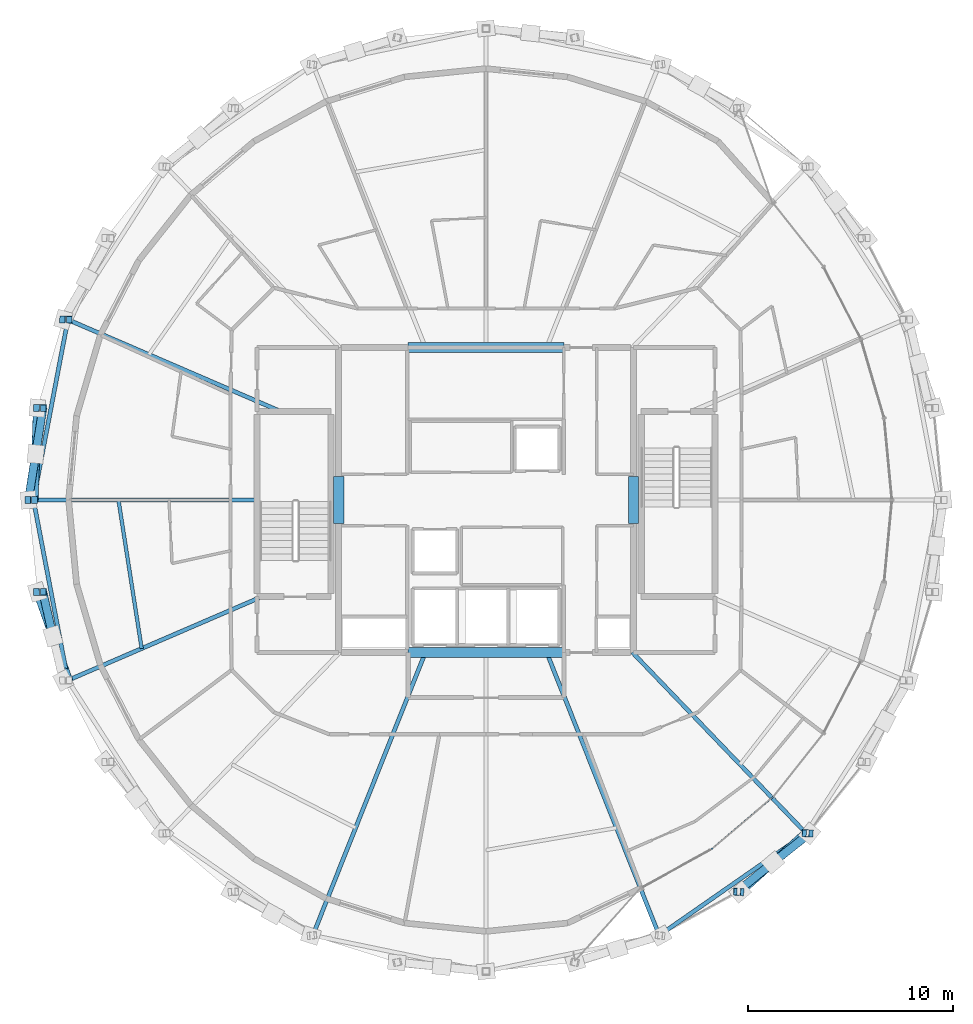
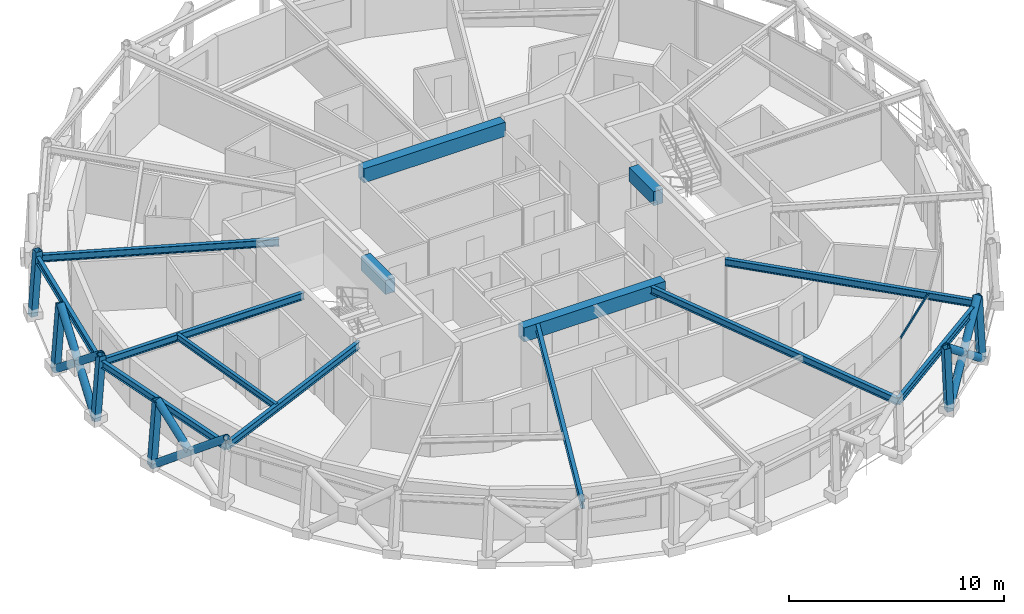
# One storey, part 3 of 15: 15 members, 14 beams, 1 element without a shape of its own.
"""IFC4 building model written with IfcOpenShell, lengths in metres."""

from ifc_helpers import new_model, si_unit, direction, frame, origin, origin_2d, place, context, subcontext, project, spatial, rectangle, hollow_rectangle, hollow_circle, i_section, extrude, material, layer, layer_set, material_profile, profile_set, type_object, element, aggregate, save


model = new_model("IFC4")

# Units and contexts
model_context = context("Model", 3, precision=1e-05, world=origin(), true_north=direction((0.0, 1.0)))
body_context = subcontext(model_context, "Body", "Model", "MODEL_VIEW")
ifc_project = project(units=[si_unit("LENGTHUNIT", "METRE"), si_unit("AREAUNIT", "SQUARE_METRE"), si_unit("VOLUMEUNIT", "CUBIC_METRE"), si_unit("PLANEANGLEUNIT", "RADIAN"), si_unit("MASSUNIT", "GRAM", prefix="KILO")], contexts=[model_context])

# Site, building, storey
site_placement = place(None, origin())
site = spatial("IfcSite", under=ifc_project, at=site_placement, CompositionType="ELEMENT")
building_placement = place(site_placement, origin())
building = spatial("IfcBuilding", under=site, at=building_placement, Name="Veldorina Hangang Commons", CompositionType="ELEMENT")
storey_placement = place(building_placement, frame((0.0, 0.0, 258.0)))
storey = spatial("IfcBuildingStorey", under=building, at=storey_placement, Name="L67", CompositionType="ELEMENT", Elevation=258.0)

# Beams
ifc_material_1 = material(Name="Concrete C50/60", Category="concrete")
ifc_material_profile_1 = material_profile(ifc_material_1, rectangle(XDim=0.5, YDim=0.800048828125, at=origin_2d()), Name="RC-CB-500x800")
ifc_profile_set_1 = profile_set([ifc_material_profile_1], Name="Concrete C50/60")
beam_type_1 = type_object("IfcBeamType", Name="BM-CB800", PredefinedType="LINTEL", material=ifc_profile_set_1)
for number, where, z_axis, x_axis, name in (
    (1, (24.800048828125, 22.85009765625, 2.9599609375), (0.0, 1.0, 0.0), (-1.0, 0.0, 0.0), "L67 W core coupling lintel beam"),
    (2, (39.199951171875, 22.85009765625, 2.9599609375), (0.0, 1.0, 0.0), (-1.0, 0.0, 0.0), "L67 E core coupling lintel beam"),
):
    element("IfcBeam", number, at=place(storey_placement, frame(where, z_axis=z_axis, x_axis=x_axis)), inside=storey, type_object=beam_type_1, Name=name, PredefinedType="LINTEL", context=body_context, shape_type="SweptSolid", body=[
        extrude(rectangle(XDim=0.5, YDim=0.800048828125, at=origin_2d()), origin(), (0.0, 0.0, 1.0), 2.2998046875),
    ])
for number, where, z_axis, x_axis, name in (
    (3, (28.199951171875, 16.550048828125, 2.9599609375), (1.0, 0.0, 0.0), (0.0, 1.0, 0.0), "L67 south core coupling beam"),
    (4, (28.199951171875, 31.449951171875, 2.9599609375), (1.0, 0.0, 0.0), (0.0, 1.0, 0.0), "L67 north core coupling beam"),
):
    element("IfcBeam", number, at=place(storey_placement, frame(where, z_axis=z_axis, x_axis=x_axis)), inside=storey, type_object=beam_type_1, Name=name, PredefinedType="LINTEL", context=body_context, shape_type="SweptSolid", body=[
        extrude(rectangle(XDim=0.5, YDim=0.800048828125, at=origin_2d()), origin(), (0.0, 0.0, 1.0), 7.60009765625),
    ])
ifc_material_2 = material(Name="Steel SM355-TMC", Category="steel")
ifc_material_profile_2 = material_profile(ifc_material_2, i_section(OverallWidth=0.199951171875, OverallDepth=0.39990234375, WebThickness=0.008056640625, FlangeThickness=0.012939453125, FilletRadius=0.012939453125, at=origin_2d()), Name="H-400x200x8x13")
ifc_profile_set_2 = profile_set([ifc_material_profile_2], Name="Steel SM355-TMC")
beam_type_2 = type_object("IfcBeamType", Name="BM-FG400", PredefinedType="BEAM", material=ifc_profile_set_2)
beam_1_placement = place(storey_placement, frame((21.984619140625, 28.320068359375, 3.159912109375), z_axis=(-0.918231481777, 0.396044121121, 0.0), x_axis=(-0.396044121121, -0.918231481777, 0.0)))
element("IfcBeam", 5, at=beam_1_placement, inside=storey, type_object=beam_type_2, Name="L67 radial floor girder 08", PredefinedType="BEAM", context=body_context, shape_type="SweptSolid", body=[
    extrude(i_section(OverallWidth=0.199951171875, OverallDepth=0.39990234375, WebThickness=0.008056640625, FlangeThickness=0.012939453125, FilletRadius=0.012939453125, at=origin_2d()), origin(), (0.0, 0.0, 1.0), 11.337646484375),
])
beam_2_placement = place(storey_placement, frame((20.820068359375, 24.0, 3.159912109375), z_axis=(-1.0, 0.0, 0.0), x_axis=(0.0, -1.0, 0.0)))
element("IfcBeam", 6, at=beam_2_placement, inside=storey, type_object=beam_type_2, Name="L67 radial floor girder 09", PredefinedType="BEAM", context=body_context, shape_type="SweptSolid", body=[
    extrude(i_section(OverallWidth=0.199951171875, OverallDepth=0.39990234375, WebThickness=0.008056640625, FlangeThickness=0.012939453125, FilletRadius=0.012939453125, at=origin_2d()), origin(), (0.0, 0.0, 1.0), 10.928955078125),
])
beam_3_placement = place(storey_placement, frame((21.05712890625, 19.280029296875, 3.159912109375), z_axis=(-0.918226721478, -0.396055157728, 0.0), x_axis=(0.396055157728, -0.918226721478, 0.0)))
element("IfcBeam", 7, at=beam_3_placement, inside=storey, type_object=beam_type_2, Name="L67 radial floor girder 10", PredefinedType="BEAM", context=body_context, shape_type="SweptSolid", body=[
    extrude(i_section(OverallWidth=0.199951171875, OverallDepth=0.39990234375, WebThickness=0.008056640625, FlangeThickness=0.012939453125, FilletRadius=0.012939453125, at=origin_2d()), origin(), (0.0, 0.0, 1.0), 10.32763671875),
])
for number, where, z_axis, x_axis, name in (
    (8, (29.03662109375, 16.550048828125, 3.159912109375), (-0.369604210272, -0.92918928521, 0.0), (0.92918928521, -0.369604210272, 0.0), "L67 radial floor girder 12"),
    (9, (34.96337890625, 16.550048828125, 3.159912109375), (0.369604210272, -0.92918928521, 0.0), (0.92918928521, 0.369604210272, 0.0), "L67 radial floor girder 14"),
):
    element("IfcBeam", number, at=place(storey_placement, frame(where, z_axis=z_axis, x_axis=x_axis)), inside=storey, type_object=beam_type_2, Name=name, PredefinedType="BEAM", context=body_context, shape_type="SweptSolid", body=[
        extrude(i_section(OverallWidth=0.199951171875, OverallDepth=0.39990234375, WebThickness=0.008056640625, FlangeThickness=0.012939453125, FilletRadius=0.012939453125, at=origin_2d()), origin(), (0.0, 0.0, 1.0), 14.87353515625),
    ])
beam_4_placement = place(storey_placement, frame((39.154296875, 16.550048828125, 3.159912109375), z_axis=(0.69265262439, -0.721271337241, 0.0), x_axis=(0.721271337241, 0.69265262439, 0.0)))
element("IfcBeam", 10, at=beam_4_placement, inside=storey, type_object=beam_type_2, Name="L67 radial floor girder 15", PredefinedType="BEAM", context=body_context, shape_type="SweptSolid", body=[
    extrude(i_section(OverallWidth=0.199951171875, OverallDepth=0.39990234375, WebThickness=0.008056640625, FlangeThickness=0.012939453125, FilletRadius=0.012939453125, at=origin_2d()), origin(), (0.0, 0.0, 1.0), 12.24169921875),
])
ifc_material_profile_3 = material_profile(ifc_material_2, i_section(OverallWidth=0.175048828125, OverallDepth=0.35009765625, WebThickness=0.007080078125, FlangeThickness=0.010986328125, FilletRadius=0.012939453125, at=origin_2d()), Name="H-350x175x7x11")
ifc_profile_set_3 = profile_set([ifc_material_profile_3], Name="Steel SM355-TMC")
beam_type_3 = type_object("IfcBeamType", Name="BM-JST350", PredefinedType="JOIST", material=ifc_profile_set_3)
beam_5_placement = place(storey_placement, frame((14.0439453125, 24.0, 3.18505859375), z_axis=(0.154347471675, -0.988016628396, 0.0), x_axis=(0.988016628396, 0.154347471675, 0.0)))
element("IfcBeam", 11, at=beam_5_placement, inside=storey, type_object=beam_type_3, Name="L67 secondary floor joist 09", PredefinedType="JOIST", context=body_context, shape_type="SweptSolid", body=[
    extrude(i_section(OverallWidth=0.175048828125, OverallDepth=0.35009765625, WebThickness=0.007080078125, FlangeThickness=0.010986328125, FilletRadius=0.012939453125, at=origin_2d()), origin(), (0.0, 0.0, 1.0), 7.343994140625),
])
ifc_material_profile_4 = material_profile(ifc_material_2, i_section(OverallWidth=0.199951171875, OverallDepth=0.39990234375, WebThickness=0.008056640625, FlangeThickness=0.012939453125, FilletRadius=0.012939453125, at=origin_2d()), Name="H-400x200x8x13")
ifc_profile_set_4 = profile_set([ifc_material_profile_4], Name="Steel SM355-TMC")
beam_type_4 = type_object("IfcBeamType", Name="BM-RB400", PredefinedType="BEAM", material=ifc_profile_set_4)
for number, where, z_axis, x_axis, name in (
    (12, (11.573974609375, 32.810302734375, 3.159912109375), (-0.187618637091, -0.982241949326, 0.0), (0.982241949326, -0.187618637091, 0.0), "L67 perimeter hoop ring beam 14"),
    (13, (9.89111328125, 24.0, 3.159912109375), (0.187618637091, -0.982241949326, 0.0), (0.982241949326, 0.187618637091, 0.0), "L67 perimeter hoop ring beam 16"),
):
    element("IfcBeam", number, at=place(storey_placement, frame(where, z_axis=z_axis, x_axis=x_axis)), inside=storey, type_object=beam_type_4, Name=name, PredefinedType="BEAM", context=body_context, shape_type="SweptSolid", body=[
        extrude(i_section(OverallWidth=0.199951171875, OverallDepth=0.39990234375, WebThickness=0.008056640625, FlangeThickness=0.012939453125, FilletRadius=0.012939453125, at=origin_2d()), origin(), (0.0, 0.0, 1.0), 8.969482421875),
    ])
beam_6_placement = place(storey_placement, frame((40.460693359375, 2.729736328125, 3.159912109375), z_axis=(0.820856224935, 0.571134885981, 0.0), x_axis=(-0.571134885981, 0.820856224935, 0.0)))
element("IfcBeam", 14, at=beam_6_placement, inside=storey, type_object=beam_type_4, Name="L67 perimeter hoop ring beam 26", PredefinedType="BEAM", context=body_context, shape_type="SweptSolid", body=[
    extrude(i_section(OverallWidth=0.199951171875, OverallDepth=0.39990234375, WebThickness=0.008056640625, FlangeThickness=0.012939453125, FilletRadius=0.012939453125, at=origin_2d()), origin(), (0.0, 0.0, 1.0), 8.73828125),
])

# Curtain wall, member
ifc_material_3 = material(Name="Glass Low-E Selective", Category="glass")
ifc_layer = layer(ifc_material_3, 0.179931640625)
ifc_layer_set = layer_set([ifc_layer], Name="Glass Low-E Selective")
curtain_wall_type = type_object("IfcCurtainWallType", Name="CW-SYS-Z3", PredefinedType="NOTDEFINED", material=ifc_layer_set)
curtain_wall_placement = place(storey_placement, origin())
curtain_wall = element("IfcCurtainWall", 15, at=curtain_wall_placement, inside=storey, type_object=curtain_wall_type, Name="L67 unitised curtain wall CW-L67-R1", PredefinedType="NOTDEFINED")
ifc_material_4 = material(Name="Aluminium Anodized AA6063-T6", Category="aluminium")
ifc_material_profile_5 = material_profile(ifc_material_4, hollow_rectangle(XDim=0.06005859375, YDim=0.139892578125, WallThickness=0.00341796875, at=origin_2d()), Name="ALU-RHS-140x60x3.5")
ifc_profile_set_5 = profile_set([ifc_material_profile_5], Name="Aluminium Anodized AA6063-T6")
member_type_1 = type_object("IfcMemberType", Name="CW-TRN-140", PredefinedType="USERDEFINED", material=ifc_profile_set_5)
member_1_placement = place(storey_placement, frame((43.0185546875, 6.94384765625, 3.280029296875), z_axis=(0.762382280915, 0.647126925531, 0.0), x_axis=(-0.647126925531, 0.762382280915, 0.0)))
member_1 = element("IfcMember", 16, at=member_1_placement, type_object=member_type_1, Name="CW-L67-R1 facet 2 transom 1", ObjectType="TRANSOM", PredefinedType="USERDEFINED", context=body_context, shape_type="SweptSolid", body=[
    extrude(hollow_rectangle(XDim=0.06005859375, YDim=0.139892578125, WallThickness=0.00341796875, at=origin_2d()), origin(), (0.0, 0.0, 1.0), 3.942138671875),
])
aggregate(curtain_wall, [member_1])

# Members
ifc_material_profile_6 = material_profile(ifc_material_2, hollow_circle(Radius=0.199951171875, WallThickness=0.02001953125, at=origin_2d()), Name="CHS-400x20")
ifc_profile_set_6 = profile_set([ifc_material_profile_6], Name="Steel SM355-TMC")
member_type_2 = type_object("IfcMemberType", Name="DG-CHS400", PredefinedType="BRACE", material=ifc_profile_set_6)
member_2_placement = place(storey_placement, frame((10.07666015625, 28.49365234375, 0.0), z_axis=(-0.026364164338, -0.780158856587, 0.625025670935), x_axis=(0.99942949407, -0.033774048968, 0.0)))
element("IfcMember", 17, at=member_2_placement, inside=storey, type_object=member_type_2, Name="L67 continuous perimeter diagrid brace 15", PredefinedType="BRACE", context=body_context, shape_type="SweptSolid", body=[
    extrude(hollow_circle(Radius=0.199951171875, WallThickness=0.02001953125, at=origin_2d()), origin(), (0.0, 0.0, 1.0), 5.760009765625),
])
member_3_placement = place(storey_placement, frame((9.647216796875, 24.0, 0.0), z_axis=(0.121888575305, 0.774430174587, 0.620806797563), x_axis=(-0.987839458851, 0.155477340915, 0.0)))
element("IfcMember", 18, at=member_3_placement, inside=storey, type_object=member_type_2, Name="L67 split perimeter diagrid lower brace 16", PredefinedType="BRACE", context=body_context, shape_type="SweptSolid", body=[
    extrude(hollow_circle(Radius=0.199951171875, WallThickness=0.02001953125, at=origin_2d()), origin(), (0.0, 0.0, 1.0), 2.900390625),
])
member_4_placement = place(storey_placement, frame((10.000732421875, 26.24609375, 1.800537109375), z_axis=(0.120203050486, 0.774623162068, 0.620894663724), x_axis=(-0.988173341894, 0.153340948117, 0.0)))
element("IfcMember", 19, at=member_4_placement, inside=storey, type_object=member_type_2, Name="L67 split perimeter diagrid upper brace 16", PredefinedType="BRACE", context=body_context, shape_type="SweptSolid", body=[
    extrude(hollow_circle(Radius=0.199951171875, WallThickness=0.02001953125, at=origin_2d()), origin(), (0.0, 0.0, 1.0), 2.8984375),
])
member_5_placement = place(storey_placement, frame((10.07666015625, 19.50634765625, 0.0), z_axis=(0.262430575548, -0.741017432538, 0.618080381255), x_axis=(0.942632468558, 0.33383233699, 0.0)))
element("IfcMember", 20, at=member_5_placement, inside=storey, type_object=member_type_2, Name="L67 continuous perimeter diagrid brace 17", PredefinedType="BRACE", context=body_context, shape_type="SweptSolid", body=[
    extrude(hollow_circle(Radius=0.199951171875, WallThickness=0.02001953125, at=origin_2d()), origin(), (0.0, 0.0, 1.0), 5.82470703125),
])
member_6_placement = place(storey_placement, frame((10.841552734375, 17.3466796875, 1.80126953125), z_axis=(-0.172459663965, 0.757215063993, 0.629986516655), x_axis=(-0.97503109066, -0.222068395423, 0.0)))
element("IfcMember", 21, at=member_6_placement, inside=storey, type_object=member_type_2, Name="L67 split perimeter diagrid upper brace 18", PredefinedType="BRACE", context=body_context, shape_type="SweptSolid", body=[
    extrude(hollow_circle(Radius=0.199951171875, WallThickness=0.02001953125, at=origin_2d()), origin(), (0.0, 0.0, 1.0), 2.855224609375),
])
member_7_placement = place(storey_placement, frame((44.418701171875, 4.848388671875, 0.0), z_axis=(0.569457677768, 0.512773328971, 0.642480712805), x_axis=(-0.669153187248, 0.743124492933, 0.0)))
element("IfcMember", 22, at=member_7_placement, inside=storey, type_object=member_type_2, Name="L67 continuous perimeter diagrid brace 27", PredefinedType="BRACE", context=body_context, shape_type="SweptSolid", body=[
    extrude(hollow_circle(Radius=0.199951171875, WallThickness=0.02001953125, at=origin_2d()), origin(), (0.0, 0.0, 1.0), 5.603515625),
])
member_8_placement = place(storey_placement, frame((47.805908203125, 7.712890625, 0.0), z_axis=(-0.613379387785, -0.488607203366, 0.620506831115), x_axis=(0.623063701635, -0.782171096183, 0.0)))
element("IfcMember", 23, at=member_8_placement, inside=storey, type_object=member_type_2, Name="L67 split perimeter diagrid lower brace 28", PredefinedType="BRACE", context=body_context, shape_type="SweptSolid", body=[
    extrude(hollow_circle(Radius=0.199951171875, WallThickness=0.02001953125, at=origin_2d()), origin(), (0.0, 0.0, 1.0), 2.91162109375),
])
member_9_placement = place(storey_placement, frame((46.02001953125, 6.290283203125, 1.806640625), z_axis=(-0.607618730977, -0.495491063614, 0.620715783306), x_axis=(0.631975162369, -0.774988641303, 0.0)))
element("IfcMember", 24, at=member_9_placement, inside=storey, type_object=member_type_2, Name="L67 split perimeter diagrid upper brace 28", PredefinedType="BRACE", context=body_context, shape_type="SweptSolid", body=[
    extrude(hollow_circle(Radius=0.199951171875, WallThickness=0.02001953125, at=origin_2d()), origin(), (0.0, 0.0, 1.0), 2.889404296875),
])
ifc_material_profile_7 = material_profile(ifc_material_2, hollow_rectangle(XDim=0.35009765625, YDim=0.35009765625, WallThickness=0.01611328125, at=origin_2d()), Name="SHS-350x350x16")
ifc_profile_set_7 = profile_set([ifc_material_profile_7], Name="Steel SM355-TMC")
member_type_3 = type_object("IfcMemberType", Name="STR-SHS350", PredefinedType="STRUT", material=ifc_profile_set_7)
member_10_placement = place(storey_placement, frame((11.3486328125, 32.814453125, 0.0), z_axis=(0.071093161764, -0.001285223667, 0.99746885192), x_axis=(0.018075067574, 0.999836632622, 0.0)))
element("IfcMember", 25, at=member_10_placement, inside=storey, type_object=member_type_3, Name="L67 perimeter ring node post 14", PredefinedType="STRUT", context=body_context, shape_type="SweptSolid", body=[
    extrude(hollow_rectangle(XDim=0.35009765625, YDim=0.35009765625, WallThickness=0.01611328125, at=origin_2d()), origin(), (0.0, 0.0, 1.0), 3.609130859375),
])
member_11_placement = place(storey_placement, frame((10.07666015625, 28.49365234375, 0.0), z_axis=(0.075465709734, -0.000676216037, 0.997148168221), x_axis=(0.008960213768, 0.999959856479, 0.0)))
element("IfcMember", 26, at=member_11_placement, inside=storey, type_object=member_type_3, Name="L67 perimeter ring node post 15", PredefinedType="STRUT", context=body_context, shape_type="SweptSolid", body=[
    extrude(hollow_rectangle(XDim=0.35009765625, YDim=0.35009765625, WallThickness=0.01611328125, at=origin_2d()), origin(), (0.0, 0.0, 1.0), 3.6103515625),
])
member_12_placement = place(storey_placement, frame((9.647216796875, 24.0, 0.0), z_axis=(0.076877465321, 0.0, 0.997040548486), x_axis=(0.0, 1.0, 0.0)))
element("IfcMember", 27, at=member_12_placement, inside=storey, type_object=member_type_3, Name="L67 perimeter ring node post 16", PredefinedType="STRUT", context=body_context, shape_type="SweptSolid", body=[
    extrude(hollow_rectangle(XDim=0.35009765625, YDim=0.35009765625, WallThickness=0.01611328125, at=origin_2d()), origin(), (0.0, 0.0, 1.0), 3.61083984375),
])
member_13_placement = place(storey_placement, frame((10.07666015625, 19.50634765625, 0.0), z_axis=(0.075465709734, 0.000676216037, 0.997148168221), x_axis=(-0.008960213768, 0.999959856479, 0.0)))
element("IfcMember", 28, at=member_13_placement, inside=storey, type_object=member_type_3, Name="L67 perimeter ring node post 17", PredefinedType="STRUT", context=body_context, shape_type="SweptSolid", body=[
    extrude(hollow_rectangle(XDim=0.35009765625, YDim=0.35009765625, WallThickness=0.01611328125, at=origin_2d()), origin(), (0.0, 0.0, 1.0), 3.6103515625),
])
member_14_placement = place(storey_placement, frame((44.418701171875, 4.848388671875, 0.0), z_axis=(-0.042819597271, 0.002845606148, 0.999078767973), x_axis=(-0.066309434359, -0.997799107494, 0.0)))
element("IfcMember", 29, at=member_14_placement, inside=storey, type_object=member_type_3, Name="L67 perimeter ring node post 27", PredefinedType="STRUT", context=body_context, shape_type="SweptSolid", body=[
    extrude(hollow_rectangle(XDim=0.35009765625, YDim=0.35009765625, WallThickness=0.01611328125, at=origin_2d()), origin(), (0.0, 0.0, 1.0), 3.603515625),
])
member_15_placement = place(storey_placement, frame((47.805908203125, 7.712890625, 0.0), z_axis=(-0.05444223604, 0.002437712061, 0.998513946069), x_axis=(-0.044731300944, -0.998999054412, 0.0)))
element("IfcMember", 30, at=member_15_placement, inside=storey, type_object=member_type_3, Name="L67 perimeter ring node post 28", PredefinedType="STRUT", context=body_context, shape_type="SweptSolid", body=[
    extrude(hollow_rectangle(XDim=0.35009765625, YDim=0.35009765625, WallThickness=0.01611328125, at=origin_2d()), origin(), (0.0, 0.0, 1.0), 3.60546875),
])

save(model, "model.ifc")
